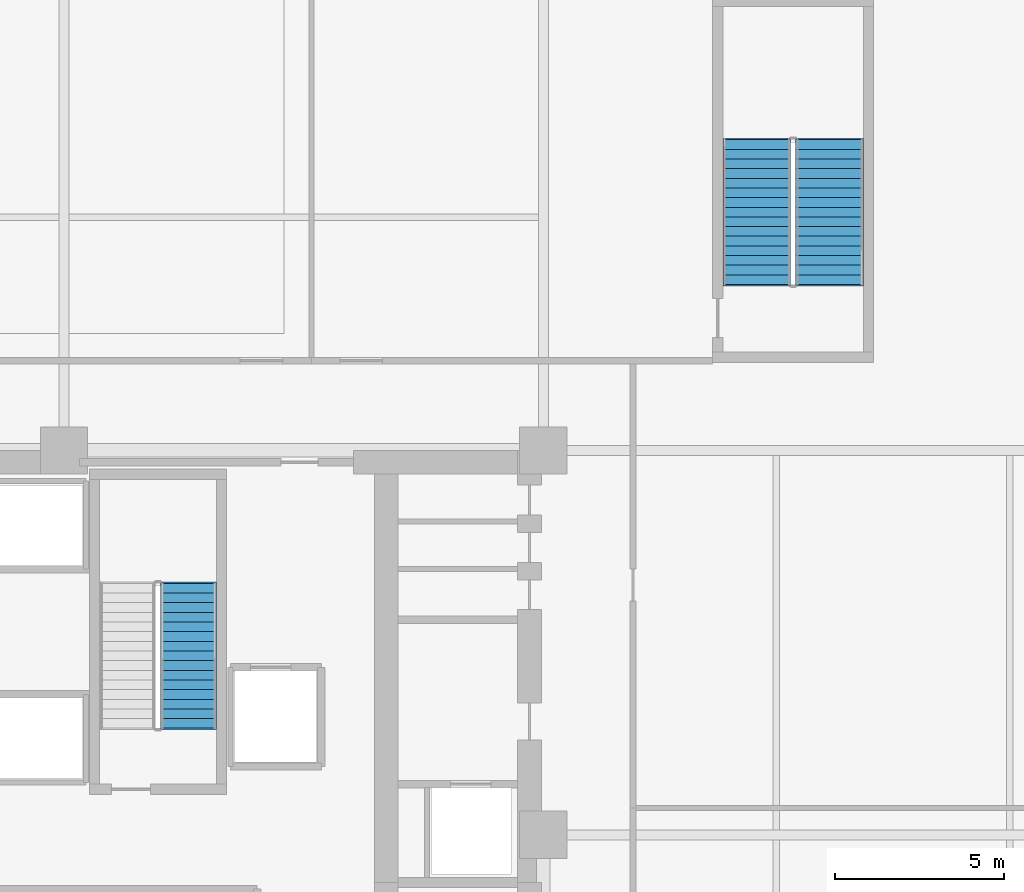
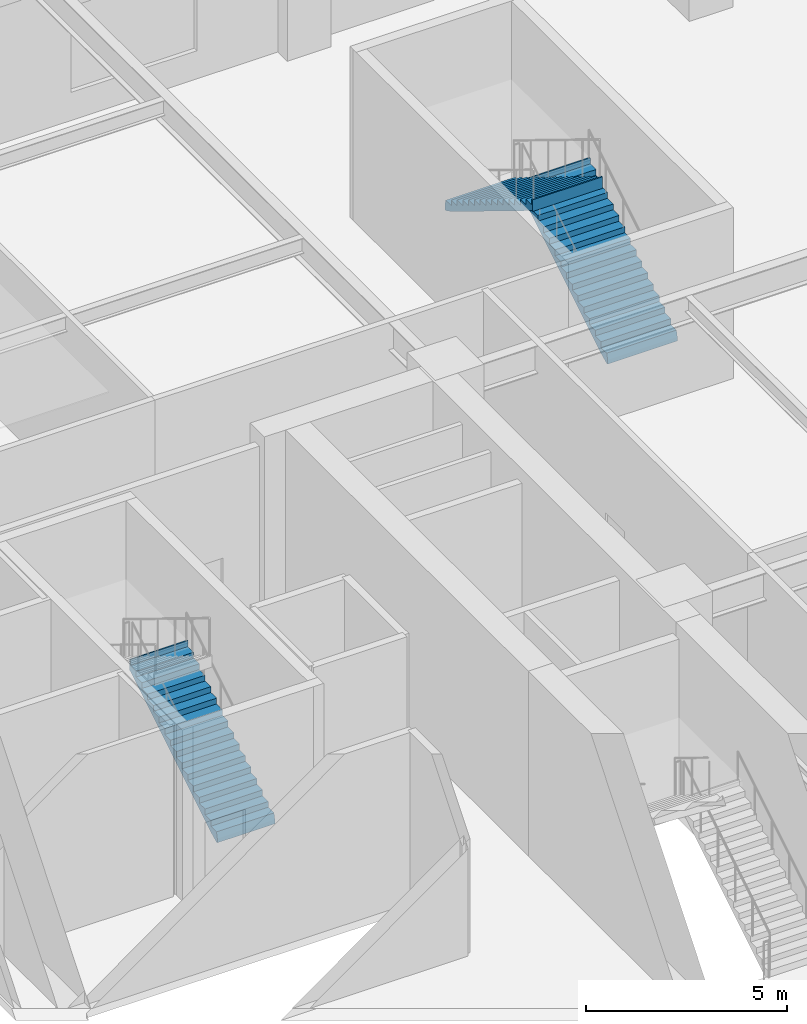
# One storey, part 9 of 14: 3 stair flights, 2 elements without a shape of their own.
"""IFC4 building model written with IfcOpenShell, lengths in metres."""

from ifc_helpers import new_model, si_unit, direction, frame, origin, place, context, subcontext, project, spatial, polyline, outline, extrude, material, type_object, element, aggregate, save


model = new_model("IFC4")

# Units and contexts
model_context = context("Model", 3, precision=1e-05, world=origin(), true_north=direction((0.0, 1.0)))
body_context = subcontext(model_context, "Body", "Model", "MODEL_VIEW")
ifc_project = project(units=[si_unit("LENGTHUNIT", "METRE"), si_unit("AREAUNIT", "SQUARE_METRE"), si_unit("VOLUMEUNIT", "CUBIC_METRE"), si_unit("PLANEANGLEUNIT", "RADIAN"), si_unit("MASSUNIT", "GRAM", prefix="KILO")], contexts=[model_context])

# Site, building, storey
site_placement = place(None, origin())
site = spatial("IfcSite", under=ifc_project, at=site_placement, CompositionType="ELEMENT")
building_placement = place(site_placement, origin())
building = spatial("IfcBuilding", under=site, at=building_placement, Name="Nhamokura Convention Tower", CompositionType="ELEMENT")
storey_placement = place(building_placement, frame((0.0, 0.0, 23.800048828125)))
storey = spatial("IfcBuildingStorey", under=building, at=storey_placement, Name="L04", CompositionType="ELEMENT", Elevation=23.800048828125)

# Stair, stair flights
ifc_material_1 = material(Name="Concrete C40/50", Category="concrete")
stair_type_1 = type_object("IfcStairType", Name="PodiumExitStair_2000", PredefinedType="HALF_TURN_STAIR", material=ifc_material_1)
stair_1_placement = place(storey_placement, origin())
stair_1 = element("IfcStair", 1, at=stair_1_placement, inside=storey, type_object=stair_type_1, Name="L04 North-East Podium Smokeproof Stair ST-05", PredefinedType="HALF_TURN_STAIR")
ifc_material_2 = material(Name="Concrete C40/50", Category="concrete")
stair_flight_type_1 = type_object("IfcStairFlightType", Name="PodiumExitStair_2000_Flight", PredefinedType="STRAIGHT", material=ifc_material_2)
stair_flight_1_placement = place(storey_placement, frame((51.800048828125, 48.25, 0.0), z_axis=(0.0, 0.0, 1.0), x_axis=(0.0, 1.0, 0.0)))
stair_flight_1 = element("IfcStairFlight", 2, at=stair_flight_1_placement, type_object=stair_flight_type_1, Name="ST-05 flight 1", NumberOfRisers=16, NumberOfTreads=15, PredefinedType="STRAIGHT", RiserHeight=0.175, TreadLength=0.285, context=body_context, shape_type="SweptSolid", body=[
    extrude(outline(polyline([(-0.0419921875, 0.0), (0.0, 0.175048828125), (0.284912109375, 0.175048828125), (0.284912109375, 0.35009765625), (0.570068359375, 0.35009765625), (0.570068359375, 0.52490234375), (0.85498046875, 0.52490234375), (0.85498046875, 0.699951171875), (1.139892578125, 0.699951171875), (1.139892578125, 0.875), (1.425048828125, 0.875), (1.425048828125, 1.050048828125), (1.7099609375, 1.050048828125), (1.7099609375, 1.22509765625), (1.9951171875, 1.22509765625), (1.9951171875, 1.39990234375), (2.280029296875, 1.39990234375), (2.280029296875, 1.574951171875), (2.56494140625, 1.574951171875), (2.56494140625, 1.75), (2.85009765625, 1.75), (2.85009765625, 1.925048828125), (3.135009765625, 1.925048828125), (3.135009765625, 2.10009765625), (3.419921875, 2.10009765625), (3.419921875, 2.27490234375), (3.705078125, 2.27490234375), (3.705078125, 2.449951171875), (3.989990234375, 2.449951171875), (3.989990234375, 2.625), (4.27490234375, 2.625), (4.27490234375, 2.800048828125), (4.31689453125, 2.800048828125), (4.31689453125, 2.448974609375), (4.27490234375, 2.448974609375), (0.286376953125, 0.0), (0.02001953125, -0.1298828125), (-0.0419921875, -0.1298828125), (-0.0419921875, 0.0)])), frame((0.0, 1.0, 0.0), z_axis=(0.0, -1.0, 0.0), x_axis=(1.0, 0.0, 0.0)), (0.0, 0.0, 1.0), 2.0),
])
stair_flight_2_placement = place(storey_placement, frame((49.64990234375, 52.52490234375, 2.800048828125), z_axis=(0.0, 0.0, 1.0), x_axis=(0.0, -1.0, 0.0)))
stair_flight_2 = element("IfcStairFlight", 3, at=stair_flight_2_placement, type_object=stair_flight_type_1, Name="ST-05 flight 2", NumberOfRisers=16, NumberOfTreads=15, PredefinedType="STRAIGHT", RiserHeight=0.175, TreadLength=0.285, context=body_context, shape_type="SweptSolid", body=[
    extrude(outline(polyline([(-0.0419921875, 0.0), (0.0, 0.175048828125), (0.284912109375, 0.175048828125), (0.284912109375, 0.35009765625), (0.570068359375, 0.35009765625), (0.570068359375, 0.52490234375), (0.85498046875, 0.52490234375), (0.85498046875, 0.699951171875), (1.139892578125, 0.699951171875), (1.139892578125, 0.875), (1.425048828125, 0.875), (1.425048828125, 1.050048828125), (1.7099609375, 1.050048828125), (1.7099609375, 1.22509765625), (1.9951171875, 1.22509765625), (1.9951171875, 1.39990234375), (2.280029296875, 1.39990234375), (2.280029296875, 1.574951171875), (2.56494140625, 1.574951171875), (2.56494140625, 1.75), (2.85009765625, 1.75), (2.85009765625, 1.925048828125), (3.135009765625, 1.925048828125), (3.135009765625, 2.10009765625), (3.419921875, 2.10009765625), (3.419921875, 2.27490234375), (3.705078125, 2.27490234375), (3.705078125, 2.449951171875), (3.989990234375, 2.449951171875), (3.989990234375, 2.625), (4.27490234375, 2.625), (4.27490234375, 2.800048828125), (4.31689453125, 2.800048828125), (4.31689453125, 2.448974609375), (4.27490234375, 2.448974609375), (0.286376953125, 0.0), (0.02001953125, -0.1298828125), (-0.0419921875, -0.1298828125), (-0.0419921875, 0.0)])), frame((0.0, 1.0, 0.0), z_axis=(0.0, -1.0, 0.0), x_axis=(1.0, 0.0, 0.0)), (0.0, 0.0, 1.0), 2.0),
])
aggregate(stair_1, [stair_flight_1, stair_flight_2])

# Stair, stair flight
ifc_material_3 = material(Name="Concrete C40/50", Category="concrete")
stair_type_2 = type_object("IfcStairType", Name="TowerCoreStair_1650", PredefinedType="HALF_TURN_STAIR", material=ifc_material_3)
stair_2_placement = place(storey_placement, origin())
stair_2 = element("IfcStair", 4, at=stair_2_placement, inside=storey, type_object=stair_type_2, Name="L04 North Core Smokeproof Stair ST-03", PredefinedType="HALF_TURN_STAIR")
ifc_material_4 = material(Name="Concrete C40/50", Category="concrete")
stair_flight_type_2 = type_object("IfcStairFlightType", Name="TowerCoreStair_1650_Flight", PredefinedType="STRAIGHT", material=ifc_material_4)
stair_flight_3_placement = place(storey_placement, frame((32.875, 35.14990234375, 0.0), z_axis=(0.0, 0.0, 1.0), x_axis=(0.0, 1.0, 0.0)))
stair_flight_3 = element("IfcStairFlight", 5, at=stair_flight_3_placement, type_object=stair_flight_type_2, Name="ST-03 flight 1", NumberOfRisers=16, NumberOfTreads=15, PredefinedType="STRAIGHT", RiserHeight=0.175, TreadLength=0.285, context=body_context, shape_type="SweptSolid", body=[
    extrude(outline(polyline([(-0.0419921875, 0.0), (0.0, 0.175048828125), (0.284912109375, 0.175048828125), (0.284912109375, 0.35009765625), (0.570068359375, 0.35009765625), (0.570068359375, 0.52490234375), (0.85498046875, 0.52490234375), (0.85498046875, 0.699951171875), (1.139892578125, 0.699951171875), (1.139892578125, 0.875), (1.425048828125, 0.875), (1.425048828125, 1.050048828125), (1.7099609375, 1.050048828125), (1.7099609375, 1.22509765625), (1.9951171875, 1.22509765625), (1.9951171875, 1.39990234375), (2.280029296875, 1.39990234375), (2.280029296875, 1.574951171875), (2.56494140625, 1.574951171875), (2.56494140625, 1.75), (2.85009765625, 1.75), (2.85009765625, 1.925048828125), (3.135009765625, 1.925048828125), (3.135009765625, 2.10009765625), (3.419921875, 2.10009765625), (3.419921875, 2.27490234375), (3.705078125, 2.27490234375), (3.705078125, 2.449951171875), (3.989990234375, 2.449951171875), (3.989990234375, 2.625), (4.27490234375, 2.625), (4.27490234375, 2.800048828125), (4.31689453125, 2.800048828125), (4.31689453125, 2.448974609375), (4.27490234375, 2.448974609375), (0.286376953125, 0.0), (0.02001953125, -0.1298828125), (-0.0419921875, -0.1298828125), (-0.0419921875, 0.0)])), frame((0.0, 0.824951171875, 0.0), z_axis=(0.0, -1.0, 0.0), x_axis=(1.0, 0.0, 0.0)), (0.0, 0.0, 1.0), 1.64990234375),
])
aggregate(stair_2, [stair_flight_3])

save(model, "model.ifc")
